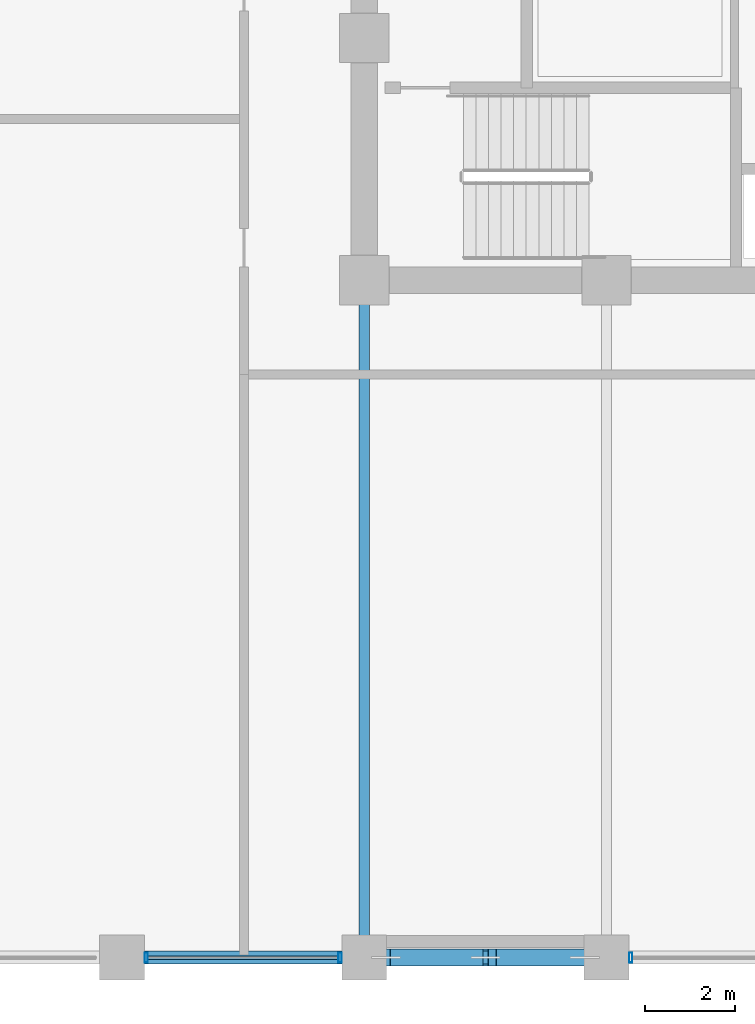
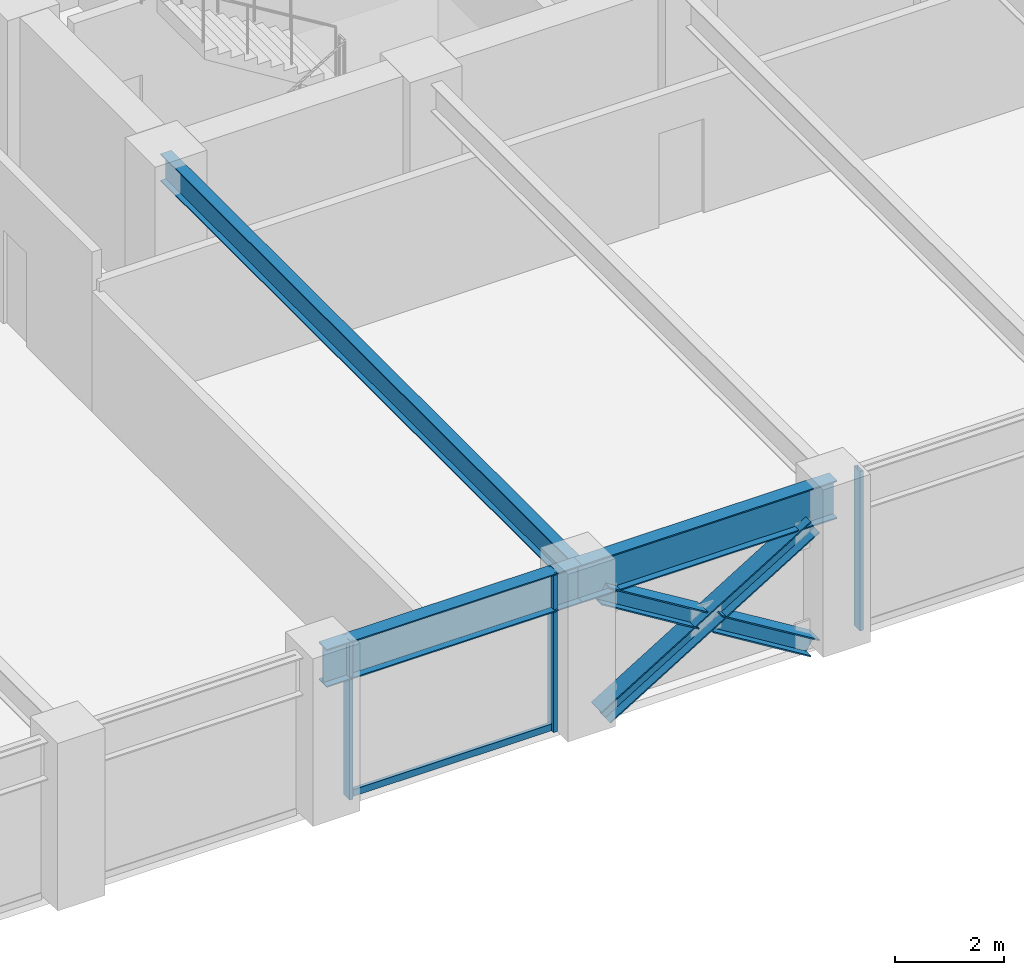
# One storey, part 4 of 23: 7 members, 3 beams, 2 elements without a shape of their own.
"""IFC4 building model written with IfcOpenShell, lengths in metres."""

from ifc_helpers import new_model, si_unit, direction, frame, origin, origin_2d, place, context, subcontext, project, spatial, hollow_rectangle, i_section, extrude, material, layer, layer_set, material_profile, profile_set, type_object, element, aggregate, save


model = new_model("IFC4")

# Units and contexts
model_context = context("Model", 3, precision=1e-05, world=origin(), true_north=direction((0.0, 1.0)))
body_context = subcontext(model_context, "Body", "Model", "MODEL_VIEW")
ifc_project = project(units=[si_unit("LENGTHUNIT", "METRE"), si_unit("AREAUNIT", "SQUARE_METRE"), si_unit("VOLUMEUNIT", "CUBIC_METRE"), si_unit("PLANEANGLEUNIT", "RADIAN"), si_unit("MASSUNIT", "GRAM", prefix="KILO")], contexts=[model_context])

# Site, building, storey
site_placement = place(None, origin())
site = spatial("IfcSite", under=ifc_project, at=site_placement, CompositionType="ELEMENT")
building_placement = place(site_placement, origin())
building = spatial("IfcBuilding", under=site, at=building_placement, Name="Surkhivell Harbour Commons", CompositionType="ELEMENT")
storey_placement = place(building_placement, frame((0.0, 0.0, 128.25)))
storey = spatial("IfcBuildingStorey", under=building, at=storey_placement, Name="L33", CompositionType="ELEMENT", Elevation=128.25)

# Beams
ifc_material_1 = material(Name="Steel S355", Category="steel")
ifc_material_profile_1 = material_profile(ifc_material_1, i_section(OverallWidth=0.22998046875, OverallDepth=0.616943359375, WebThickness=0.01318359375, FlangeThickness=0.022216796875, at=origin_2d()), Name="UB610x229x140")
ifc_profile_set_1 = profile_set([ifc_material_profile_1], Name="Steel S355")
beam_type_1 = type_object("IfcBeamType", Name="BM-GRD-610B", PredefinedType="BEAM", material=ifc_profile_set_1)
beam_1_placement = place(storey_placement, frame((-10.800048828125, -25.89990234375, 3.261474609375), z_axis=(0.0, 1.0, 0.0), x_axis=(-1.0, 0.0, 0.0)))
element("IfcBeam", 1, at=beam_1_placement, inside=storey, type_object=beam_type_1, Name="L33 Floor Girder (-10.8,-25.9)", PredefinedType="BEAM", context=body_context, shape_type="SweptSolid", body=[
    extrude(i_section(OverallWidth=0.22998046875, OverallDepth=0.616943359375, WebThickness=0.01318359375, FlangeThickness=0.022216796875, at=origin_2d()), origin(), (0.0, 0.0, 1.0), 15.099853515625),
])
ifc_material_2 = material(Name="Steel S460", Category="steel")
ifc_material_profile_2 = material_profile(ifc_material_2, i_section(OverallWidth=0.2939453125, OverallDepth=0.85107421875, WebThickness=0.01611328125, FlangeThickness=0.02685546875, at=origin_2d()), Name="UB838x292x226")
ifc_profile_set_2 = profile_set([ifc_material_profile_2], Name="Steel S460")
beam_type_2 = type_object("IfcBeamType", Name="BM-SPN-838", PredefinedType="SPANDREL", material=ifc_profile_set_2)
beam_2_placement = place(storey_placement, frame((-16.199951171875, -25.89990234375, 3.14453125), z_axis=(1.0, 0.0, 0.0), x_axis=(0.0, 1.0, 0.0)))
element("IfcBeam", 2, at=beam_2_placement, inside=storey, type_object=beam_type_2, Name="L33 Tube Spandrel (-16.2,-25.9)", PredefinedType="SPANDREL", context=body_context, shape_type="SweptSolid", body=[
    extrude(i_section(OverallWidth=0.2939453125, OverallDepth=0.85107421875, WebThickness=0.01611328125, FlangeThickness=0.02685546875, at=origin_2d()), origin(), (0.0, 0.0, 1.0), 5.39990234375),
])
beam_3_placement = place(storey_placement, frame((-10.800048828125, -25.89990234375, 3.14453125), z_axis=(1.0, 0.0, 0.0), x_axis=(0.0, 1.0, 0.0)))
element("IfcBeam", 3, at=beam_3_placement, inside=storey, type_object=beam_type_2, Name="L33 Tube Spandrel (-10.8,-25.9)", PredefinedType="SPANDREL", context=body_context, shape_type="SweptSolid", body=[
    extrude(i_section(OverallWidth=0.2939453125, OverallDepth=0.85107421875, WebThickness=0.01611328125, FlangeThickness=0.02685546875, at=origin_2d()), origin(), (0.0, 0.0, 1.0), 5.400146484375),
])

# Curtain wall, members
ifc_material_3 = material(Name="Anodised pale-metal aluminium and insulated glazing", Category="aluminium")
ifc_layer = layer(ifc_material_3, 0.205078125)
ifc_layer_set = layer_set([ifc_layer], Name="Anodised pale-metal aluminium and insulated glazing")
curtain_wall_type = type_object("IfcCurtainWallType", Name="CW-SYS-Z2", PredefinedType="NOTDEFINED", material=ifc_layer_set)
curtain_wall_1_placement = place(storey_placement, origin())
curtain_wall_1 = element("IfcCurtainWall", 4, at=curtain_wall_1_placement, inside=storey, type_object=curtain_wall_type, Name="L33 Curtain Wall CW-L33-E00S1", PredefinedType="NOTDEFINED")
ifc_material_4 = material(Name="Anodised pale-metal aluminium alloy 6063-T6", Category="aluminium")
ifc_material_profile_3 = material_profile(ifc_material_4, hollow_rectangle(XDim=0.074951171875, YDim=0.219970703125, WallThickness=0.00390625, at=origin_2d()), Name="ALU-MULL-75x220")
ifc_profile_set_3 = profile_set([ifc_material_profile_3], Name="Anodised pale-metal aluminium alloy 6063-T6")
member_type_1 = type_object("IfcMemberType", Name="CWM-220", PredefinedType="MULLION", material=ifc_profile_set_3)
member_1_placement = place(storey_placement, frame((-15.660400390625, -25.89990234375, 0.0), z_axis=(0.0, 0.0, 1.0), x_axis=(1.0, 0.0, 0.0)))
member_1 = element("IfcMember", 5, at=member_1_placement, type_object=member_type_1, Name="CW-Z2 mullion 3", PredefinedType="MULLION", context=body_context, shape_type="SweptSolid", body=[
    extrude(hollow_rectangle(XDim=0.074951171875, YDim=0.219970703125, WallThickness=0.00390625, at=origin_2d()), origin(), (0.0, 0.0, 1.0), 3.570068359375),
])
member_2_placement = place(storey_placement, frame((-11.339599609375, -25.89990234375, 0.0), z_axis=(0.0, 0.0, 1.0), x_axis=(1.0, 0.0, 0.0)))
member_2 = element("IfcMember", 6, at=member_2_placement, type_object=member_type_1, Name="CW-Z2 mullion 4", PredefinedType="MULLION", context=body_context, shape_type="SweptSolid", body=[
    extrude(hollow_rectangle(XDim=0.074951171875, YDim=0.219970703125, WallThickness=0.00390625, at=origin_2d()), origin(), (0.0, 0.0, 1.0), 3.570068359375),
])

# Curtain wall, member
curtain_wall_2_placement = place(storey_placement, origin())
curtain_wall_2 = element("IfcCurtainWall", 7, at=curtain_wall_2_placement, inside=storey, type_object=curtain_wall_type, Name="L33 Curtain Wall CW-L33-E00S2", PredefinedType="NOTDEFINED")
member_3_placement = place(storey_placement, frame((-4.860595703125, -25.89990234375, 0.0), z_axis=(0.0, 0.0, 1.0), x_axis=(1.0, 0.0, 0.0)))
member_3 = element("IfcMember", 8, at=member_3_placement, type_object=member_type_1, Name="CW-Z2 mullion 1", PredefinedType="MULLION", context=body_context, shape_type="SweptSolid", body=[
    extrude(hollow_rectangle(XDim=0.074951171875, YDim=0.219970703125, WallThickness=0.00390625, at=origin_2d()), origin(), (0.0, 0.0, 1.0), 3.570068359375),
])
aggregate(curtain_wall_2, [member_3])

# Member
ifc_material_profile_4 = material_profile(ifc_material_4, hollow_rectangle(XDim=0.074951171875, YDim=0.14990234375, WallThickness=0.00341796875, at=origin_2d()), Name="ALU-TRAN-75x150")
ifc_profile_set_4 = profile_set([ifc_material_profile_4], Name="Anodised pale-metal aluminium alloy 6063-T6")
member_type_2 = type_object("IfcMemberType", Name="CWT-150", PredefinedType="USERDEFINED", material=ifc_profile_set_4)
member_4_placement = place(storey_placement, frame((-15.623046875, -25.89990234375, 0.074951171875), z_axis=(1.0, 0.0, 0.0), x_axis=(0.0, 1.0, 0.0)))
member_4 = element("IfcMember", 9, at=member_4_placement, type_object=member_type_2, Name="CW-Z2 transom 3.1", ObjectType="TRANSOM", PredefinedType="USERDEFINED", context=body_context, shape_type="SweptSolid", body=[
    extrude(hollow_rectangle(XDim=0.074951171875, YDim=0.14990234375, WallThickness=0.00341796875, at=origin_2d()), origin(), (0.0, 0.0, 1.0), 4.24609375),
])

aggregate(curtain_wall_1, [member_1, member_2, member_4])

# Members
ifc_material_profile_5 = material_profile(ifc_material_2, i_section(OverallWidth=0.375, OverallDepth=0.375, WebThickness=0.0166015625, FlangeThickness=0.027099609375, at=origin_2d()), Name="UC356x368x202")
ifc_profile_set_5 = profile_set([ifc_material_profile_5], Name="Steel S460")
member_type_3 = type_object("IfcMemberType", Name="MEM-BRC-UC356", PredefinedType="BRACE", material=ifc_profile_set_5)
member_5_placement = place(storey_placement, frame((-10.31494140625, -25.89990234375, 0.008056640625), z_axis=(0.852624888477, 0.0, 0.522523491864), x_axis=(0.0, 1.0, 0.0)))
element("IfcMember", 10, at=member_5_placement, inside=storey, type_object=member_type_3, Name="L33 Perimeter Mega-Brace MB- 07", PredefinedType="BRACE", context=body_context, shape_type="SweptSolid", body=[
    extrude(i_section(OverallWidth=0.375, OverallDepth=0.375, WebThickness=0.0166015625, FlangeThickness=0.027099609375, at=origin_2d()), origin(), (0.0, 0.0, 1.0), 5.195556640625),
])
member_6_placement = place(storey_placement, frame((-5.885009765625, -25.89990234375, 0.008056640625), z_axis=(-0.852617215241, 0.0, 0.52253601242), x_axis=(0.0, -1.0, 0.0)))
element("IfcMember", 11, at=member_6_placement, inside=storey, type_object=member_type_3, Name="L33 Perimeter Mega-Brace MB- 08", PredefinedType="BRACE", context=body_context, shape_type="SweptSolid", body=[
    extrude(i_section(OverallWidth=0.375, OverallDepth=0.375, WebThickness=0.0166015625, FlangeThickness=0.027099609375, at=origin_2d()), origin(), (0.0, 0.0, 1.0), 2.41796875),
])
member_7_placement = place(storey_placement, frame((-8.25341796875, -25.89990234375, 1.459716796875), z_axis=(-0.852662200332, 0.0, 0.522462603567), x_axis=(0.0, -1.0, 0.0)))
element("IfcMember", 12, at=member_7_placement, inside=storey, type_object=member_type_3, Name="L33 Perimeter Mega-Brace MB- 09", PredefinedType="BRACE", context=body_context, shape_type="SweptSolid", body=[
    extrude(i_section(OverallWidth=0.375, OverallDepth=0.375, WebThickness=0.0166015625, FlangeThickness=0.027099609375, at=origin_2d()), origin(), (0.0, 0.0, 1.0), 2.417724609375),
])

save(model, "model.ifc")
